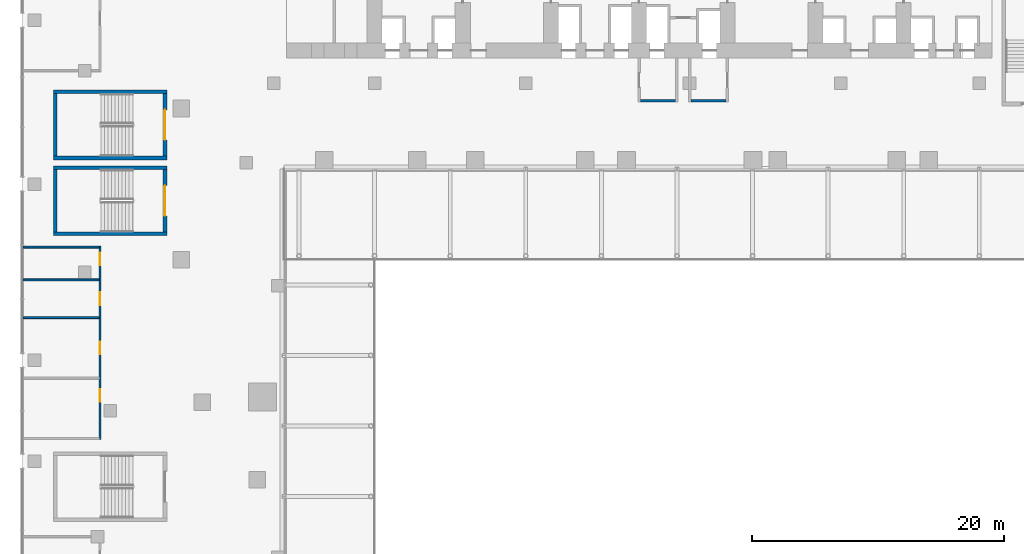
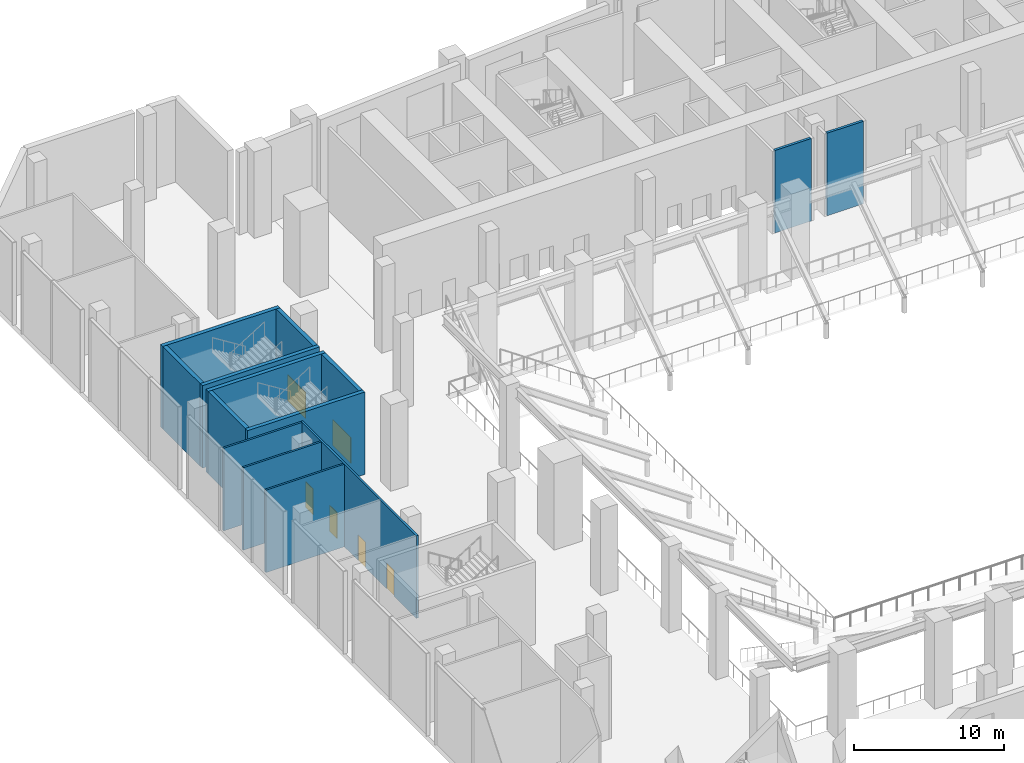
# One storey, part 22 of 41: 14 walls, 6 doors, 6 openings.
"""IFC4 building model written with IfcOpenShell, lengths in metres."""

from ifc_helpers import new_model, si_unit, direction, frame, frame_2d, origin, place, context, subcontext, project, spatial, rectangle, extrude, material, layer, layer_set, type_object, element, fill, save


model = new_model("IFC4")

# Units and contexts
model_context = context("Model", 3, precision=1e-05, world=origin(), true_north=direction((0.0, 1.0)))
body_context = subcontext(model_context, "Body", "Model", "MODEL_VIEW")
ifc_project = project(units=[si_unit("LENGTHUNIT", "METRE"), si_unit("AREAUNIT", "SQUARE_METRE"), si_unit("VOLUMEUNIT", "CUBIC_METRE"), si_unit("PLANEANGLEUNIT", "RADIAN"), si_unit("MASSUNIT", "GRAM", prefix="KILO")], contexts=[model_context])

# Site, building, storey
site_placement = place(None, origin())
site = spatial("IfcSite", under=ifc_project, at=site_placement, CompositionType="ELEMENT")
building_placement = place(site_placement, origin())
building = spatial("IfcBuilding", under=site, at=building_placement, Name="Wharfspan Tower", CompositionType="ELEMENT")
storey_placement = place(building_placement, frame((0.0, 0.0, 8.0)))
storey = spatial("IfcBuildingStorey", under=building, at=storey_placement, Name="L01", CompositionType="ELEMENT", Elevation=8.0)

# Walls
ifc_material_1 = material(Name="Concrete C30/37", Category="concrete")
ifc_layer_1 = layer(ifc_material_1, 0.199951)
ifc_layer_set_1 = layer_set([ifc_layer_1], Name="Concrete C30/37")
wall_type_1 = type_object("IfcWallType", Name="Lobby wall 200", PredefinedType="PARTITIONING", material=ifc_layer_set_1)
for number, where, z_axis, x_axis, name in (
    (1, (37.100098, 30.600098, 0.0), (0.0, 0.0, 1.0), (1.0, 0.0, 0.0), "sw:L01:FLFF1F"),
    (2, (41.100098, 30.600098, 0.0), (0.0, 0.0, 1.0), (1.0, 0.0, 0.0), "sw:L01:FLFF2F"),
):
    element("IfcWall", number, at=place(storey_placement, frame(where, z_axis=z_axis, x_axis=x_axis)), inside=storey, type_object=wall_type_1, Name=name, PredefinedType="PARTITIONING", context=body_context, shape_type="SweptSolid", body=[
        extrude(rectangle(XDim=2.799805, YDim=0.199951, at=frame_2d((1.399902, 0.0))), origin(), (0.0, 0.0, 1.0), 6.699951),
    ])

# Wall, openings, doors
ifc_material_2 = material(Name="Calcium silicate masonry", Category="masonry")
ifc_layer_2 = layer(ifc_material_2, 0.149902)
ifc_layer_set_2 = layer_set([ifc_layer_2], Name="Calcium silicate masonry")
wall_type_2 = type_object("IfcWallType", Name="Podium room wall 150", PredefinedType="PARTITIONING", material=ifc_layer_set_2)
wall_1_placement = place(storey_placement, frame((-5.800049, 3.725098, 0.0), z_axis=(0.0, 0.0, 1.0), x_axis=(0.0, 1.0, 0.0)))
wall_1 = element("IfcWall", 3, at=wall_1_placement, inside=storey, type_object=wall_type_2, Name="iw:L01:4", PredefinedType="PARTITIONING", context=body_context, shape_type="SweptSolid", body=[
    extrude(rectangle(XDim=15.349854, YDim=0.149902, at=frame_2d((7.674805, 0.0))), origin(), (0.0, 0.0, 1.0), 6.699951),
])
opening_1_placement = place(wall_1_placement, frame((2.995117, 0.0, 0.0)))
opening_1 = element("IfcOpeningElement", 4, at=opening_1_placement, cuts=wall_1, Name="Opening PD01.5", PredefinedType="OPENING", context=body_context, shape_type="SweptSolid", body=[
    extrude(rectangle(XDim=1.0, YDim=2.100098, at=frame_2d((0.5, 1.050049))), frame((0.0, 0.084961, 0.0), z_axis=(0.0, -1.0, 0.0), x_axis=(1.0, 0.0, 0.0)), (0.0, 0.0, 1.0), 0.169922),
])
opening_2_placement = place(wall_1_placement, frame((6.774902, 0.0, 0.0)))
opening_2 = element("IfcOpeningElement", 5, at=opening_2_placement, cuts=wall_1, Name="Opening PD01.6", PredefinedType="OPENING", context=body_context, shape_type="SweptSolid", body=[
    extrude(rectangle(XDim=1.0, YDim=2.100098, at=frame_2d((0.5, 1.050049))), frame((0.0, 0.084961, 0.0), z_axis=(0.0, -1.0, 0.0), x_axis=(1.0, 0.0, 0.0)), (0.0, 0.0, 1.0), 0.169922),
])
opening_3_placement = place(wall_1_placement, frame((10.675049, 0.0, 0.0)))
opening_3 = element("IfcOpeningElement", 6, at=opening_3_placement, cuts=wall_1, Name="Opening PD01.7", PredefinedType="OPENING", context=body_context, shape_type="SweptSolid", body=[
    extrude(rectangle(XDim=1.0, YDim=2.100098, at=frame_2d((0.5, 1.050049))), frame((0.0, 0.084961, 0.0), z_axis=(0.0, -1.0, 0.0), x_axis=(1.0, 0.0, 0.0)), (0.0, 0.0, 1.0), 0.169922),
])
opening_4_placement = place(wall_1_placement, frame((13.834961, 0.0, 0.0)))
opening_4 = element("IfcOpeningElement", 7, at=opening_4_placement, cuts=wall_1, Name="Opening PD01.8", PredefinedType="OPENING", context=body_context, shape_type="SweptSolid", body=[
    extrude(rectangle(XDim=1.0, YDim=2.100098, at=frame_2d((0.5, 1.050049))), frame((0.0, 0.084961, 0.0), z_axis=(0.0, -1.0, 0.0), x_axis=(1.0, 0.0, 0.0)), (0.0, 0.0, 1.0), 0.169922),
])
ifc_material_3 = material(Name="Steel door leaf", Category="steel")
door_type_1 = type_object("IfcDoorType", Name="Podium room door 1000x2100", OperationType="SINGLE_SWING_LEFT", PredefinedType="DOOR", material=ifc_material_3)
door_1_placement = place(opening_1_placement, origin())
door_1 = element("IfcDoor", 8, at=door_1_placement, inside=storey, type_object=door_type_1, Name="id:L01:5", OperationType="SINGLE_SWING_RIGHT", OverallHeight=2.100098, OverallWidth=1.0, PredefinedType="DOOR", context=body_context, shape_type="SweptSolid", body=[
    extrude(rectangle(XDim=1.0, YDim=2.100098, at=frame_2d((0.5, 1.050049))), frame((0.0, 0.024902, 0.0), z_axis=(0.0, -1.0, 0.0), x_axis=(1.0, 0.0, 0.0)), (0.0, 0.0, 1.0), 0.050049),
])
fill(opening_1, door_1)
door_2_placement = place(opening_2_placement, origin())
door_2 = element("IfcDoor", 9, at=door_2_placement, inside=storey, type_object=door_type_1, Name="id:L01:6", OperationType="SINGLE_SWING_LEFT", OverallHeight=2.100098, OverallWidth=1.0, PredefinedType="DOOR", context=body_context, shape_type="SweptSolid", body=[
    extrude(rectangle(XDim=1.0, YDim=2.100098, at=frame_2d((0.5, 1.050049))), frame((0.0, 0.024902, 0.0), z_axis=(0.0, -1.0, 0.0), x_axis=(1.0, 0.0, 0.0)), (0.0, 0.0, 1.0), 0.050049),
])
fill(opening_2, door_2)
door_3_placement = place(opening_3_placement, origin())
door_3 = element("IfcDoor", 10, at=door_3_placement, inside=storey, type_object=door_type_1, Name="id:L01:7", OperationType="SINGLE_SWING_RIGHT", OverallHeight=2.100098, OverallWidth=1.0, PredefinedType="DOOR", context=body_context, shape_type="SweptSolid", body=[
    extrude(rectangle(XDim=1.0, YDim=2.100098, at=frame_2d((0.5, 1.050049))), frame((0.0, 0.024902, 0.0), z_axis=(0.0, -1.0, 0.0), x_axis=(1.0, 0.0, 0.0)), (0.0, 0.0, 1.0), 0.050049),
])
fill(opening_3, door_3)
door_4_placement = place(opening_4_placement, origin())
door_4 = element("IfcDoor", 11, at=door_4_placement, inside=storey, type_object=door_type_1, Name="id:L01:8", OperationType="SINGLE_SWING_LEFT", OverallHeight=2.100098, OverallWidth=1.0, PredefinedType="DOOR", context=body_context, shape_type="SweptSolid", body=[
    extrude(rectangle(XDim=1.0, YDim=2.100098, at=frame_2d((0.5, 1.050049))), frame((0.0, 0.024902, 0.0), z_axis=(0.0, -1.0, 0.0), x_axis=(1.0, 0.0, 0.0)), (0.0, 0.0, 1.0), 0.050049),
])
fill(opening_4, door_4)

# Walls
for number, where, z_axis, x_axis, name in (
    (12, (-11.89502, 13.399902, 0.0), (0.0, 0.0, 1.0), (1.0, 0.0, 0.0), "iw:L01:13"),
    (13, (-11.89502, 16.399902, 0.0), (0.0, 0.0, 1.0), (1.0, 0.0, 0.0), "iw:L01:14"),
    (14, (-11.89502, 19.0, 0.0), (0.0, 0.0, 1.0), (1.0, 0.0, 0.0), "iw:L01:15"),
):
    element("IfcWall", number, at=place(storey_placement, frame(where, z_axis=z_axis, x_axis=x_axis)), inside=storey, type_object=wall_type_2, Name=name, PredefinedType="PARTITIONING", context=body_context, shape_type="SweptSolid", body=[
        extrude(rectangle(XDim=6.02002, YDim=0.149902, at=frame_2d((3.01001, 0.0))), origin(), (0.0, 0.0, 1.0), 6.699951),
    ])
ifc_material_4 = material(Name="Concrete C40/50", Category="concrete")
ifc_layer_3 = layer(ifc_material_4, 0.300049)
ifc_layer_set_3 = layer_set([ifc_layer_3], Name="Concrete C40/50")
wall_type_3 = type_object("IfcWallType", Name="Podium stair core wall 300", PredefinedType="SHEAR", material=ifc_layer_set_3)
for number, where, z_axis, x_axis, name in (
    (15, (-9.5, 20.050049, 0.0), (0.0, 0.0, 1.0), (1.0, 0.0, 0.0), "iw:L01:AS3S"),
    (16, (-9.5, 25.300049, 0.0), (0.0, 0.0, 1.0), (1.0, 0.0, 0.0), "iw:L01:AS3N"),
):
    element("IfcWall", number, at=place(storey_placement, frame(where, z_axis=z_axis, x_axis=x_axis)), inside=storey, type_object=wall_type_3, Name=name, PredefinedType="SHEAR", context=body_context, shape_type="SweptSolid", body=[
        extrude(rectangle(XDim=9.0, YDim=0.300049, at=frame_2d((4.5, 0.0))), origin(), (0.0, 0.0, 1.0), 6.699951),
    ])
wall_2_placement = place(storey_placement, frame((-9.350098, 20.199951, 0.0), z_axis=(0.0, 0.0, 1.0), x_axis=(0.0, 1.0, 0.0)))
element("IfcWall", 17, at=wall_2_placement, inside=storey, type_object=wall_type_3, Name="iw:L01:AS3W", PredefinedType="SHEAR", context=body_context, shape_type="SweptSolid", body=[
    extrude(rectangle(XDim=4.949951, YDim=0.300049, at=frame_2d((2.475098, 0.0))), origin(), (0.0, 0.0, 1.0), 6.699951),
])

# Wall, opening, door
wall_3_placement = place(storey_placement, frame((-0.649902, 20.199951, 0.0), z_axis=(0.0, 0.0, 1.0), x_axis=(0.0, 1.0, 0.0)))
wall_3 = element("IfcWall", 18, at=wall_3_placement, inside=storey, type_object=wall_type_3, Name="iw:L01:AS3E", PredefinedType="SHEAR", context=body_context, shape_type="SweptSolid", body=[
    extrude(rectangle(XDim=4.949951, YDim=0.300049, at=frame_2d((2.475098, 0.0))), origin(), (0.0, 0.0, 1.0), 6.699951),
])
opening_5_placement = place(wall_3_placement, frame((1.274902, 0.0, 0.0)))
opening_5 = element("IfcOpeningElement", 19, at=opening_5_placement, cuts=wall_3, Name="Opening SDAS3.L01", PredefinedType="OPENING", context=body_context, shape_type="SweptSolid", body=[
    extrude(rectangle(XDim=2.399902, YDim=2.100098, at=frame_2d((1.199951, 1.050049))), frame((0.0, 0.159912, 0.0), z_axis=(0.0, -1.0, 0.0), x_axis=(1.0, 0.0, 0.0)), (0.0, 0.0, 1.0), 0.320068),
])
door_type_2 = type_object("IfcDoorType", Name="Podium stair door 2400x2100", OperationType="DOUBLE_DOOR_SINGLE_SWING", PredefinedType="DOOR", material=ifc_material_3)
door_5_placement = place(opening_5_placement, origin())
door_5 = element("IfcDoor", 20, at=door_5_placement, inside=storey, type_object=door_type_2, Name="id:L01:AS3", OperationType="DOUBLE_DOOR_SINGLE_SWING", OverallHeight=2.100098, OverallWidth=2.399902, PredefinedType="DOOR", context=body_context, shape_type="SweptSolid", body=[
    extrude(rectangle(XDim=2.399902, YDim=2.100098, at=frame_2d((1.199951, 1.050049))), frame((0.0, 0.024902, 0.0), z_axis=(0.0, -1.0, 0.0), x_axis=(1.0, 0.0, 0.0)), (0.0, 0.0, 1.0), 0.050049),
])
fill(opening_5, door_5)

# Walls
for number, where, z_axis, x_axis, name in (
    (21, (-9.5, 26.074951, 0.0), (0.0, 0.0, 1.0), (1.0, 0.0, 0.0), "iw:L01:PS3S"),
    (22, (-9.5, 31.324951, 0.0), (0.0, 0.0, 1.0), (1.0, 0.0, 0.0), "iw:L01:PS3N"),
):
    element("IfcWall", number, at=place(storey_placement, frame(where, z_axis=z_axis, x_axis=x_axis)), inside=storey, type_object=wall_type_3, Name=name, PredefinedType="SHEAR", context=body_context, shape_type="SweptSolid", body=[
        extrude(rectangle(XDim=9.0, YDim=0.300049, at=frame_2d((4.5, 0.0))), origin(), (0.0, 0.0, 1.0), 6.699951),
    ])
wall_4_placement = place(storey_placement, frame((-9.350098, 26.225098, 0.0), z_axis=(0.0, 0.0, 1.0), x_axis=(0.0, 1.0, 0.0)))
element("IfcWall", 23, at=wall_4_placement, inside=storey, type_object=wall_type_3, Name="iw:L01:PS3W", PredefinedType="SHEAR", context=body_context, shape_type="SweptSolid", body=[
    extrude(rectangle(XDim=4.949951, YDim=0.300049, at=frame_2d((2.475098, 0.0))), origin(), (0.0, 0.0, 1.0), 6.699951),
])

# Wall, opening, door
wall_5_placement = place(storey_placement, frame((-0.649902, 26.225098, 0.0), z_axis=(0.0, 0.0, 1.0), x_axis=(0.0, 1.0, 0.0)))
wall_5 = element("IfcWall", 24, at=wall_5_placement, inside=storey, type_object=wall_type_3, Name="iw:L01:PS3E", PredefinedType="SHEAR", context=body_context, shape_type="SweptSolid", body=[
    extrude(rectangle(XDim=4.949951, YDim=0.300049, at=frame_2d((2.475098, 0.0))), origin(), (0.0, 0.0, 1.0), 6.699951),
])
opening_6_placement = place(wall_5_placement, frame((1.274902, 0.0, 0.0)))
opening_6 = element("IfcOpeningElement", 25, at=opening_6_placement, cuts=wall_5, Name="Opening SDPS3.L01", PredefinedType="OPENING", context=body_context, shape_type="SweptSolid", body=[
    extrude(rectangle(XDim=2.399902, YDim=2.100098, at=frame_2d((1.199951, 1.050049))), frame((0.0, 0.159912, 0.0), z_axis=(0.0, -1.0, 0.0), x_axis=(1.0, 0.0, 0.0)), (0.0, 0.0, 1.0), 0.320068),
])
door_6_placement = place(opening_6_placement, origin())
door_6 = element("IfcDoor", 26, at=door_6_placement, inside=storey, type_object=door_type_2, Name="id:L01:PS3", OperationType="DOUBLE_DOOR_SINGLE_SWING", OverallHeight=2.100098, OverallWidth=2.399902, PredefinedType="DOOR", context=body_context, shape_type="SweptSolid", body=[
    extrude(rectangle(XDim=2.399902, YDim=2.100098, at=frame_2d((1.199951, 1.050049))), frame((0.0, 0.024902, 0.0), z_axis=(0.0, -1.0, 0.0), x_axis=(1.0, 0.0, 0.0)), (0.0, 0.0, 1.0), 0.050049),
])
fill(opening_6, door_6)

save(model, "model.ifc")
